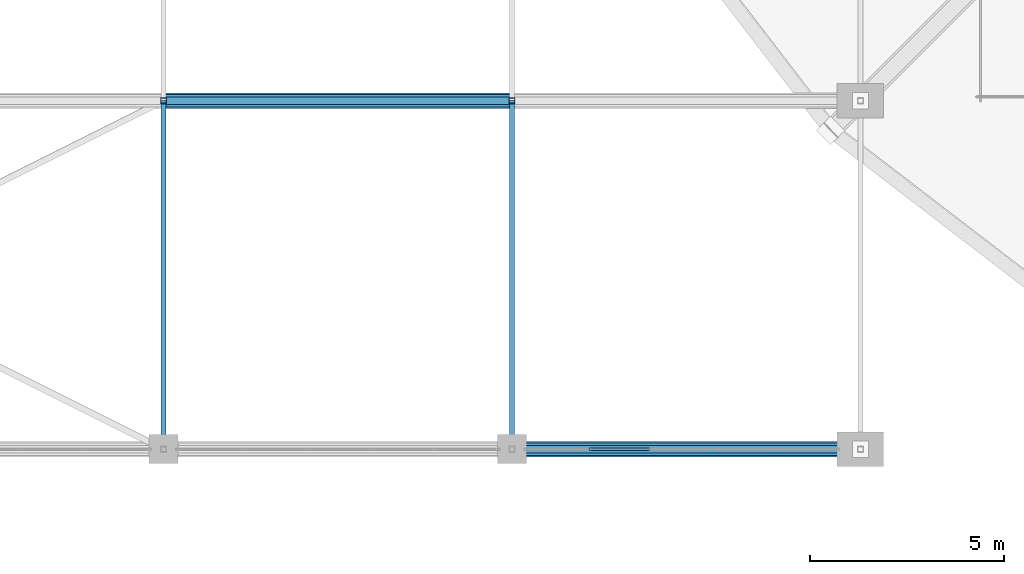
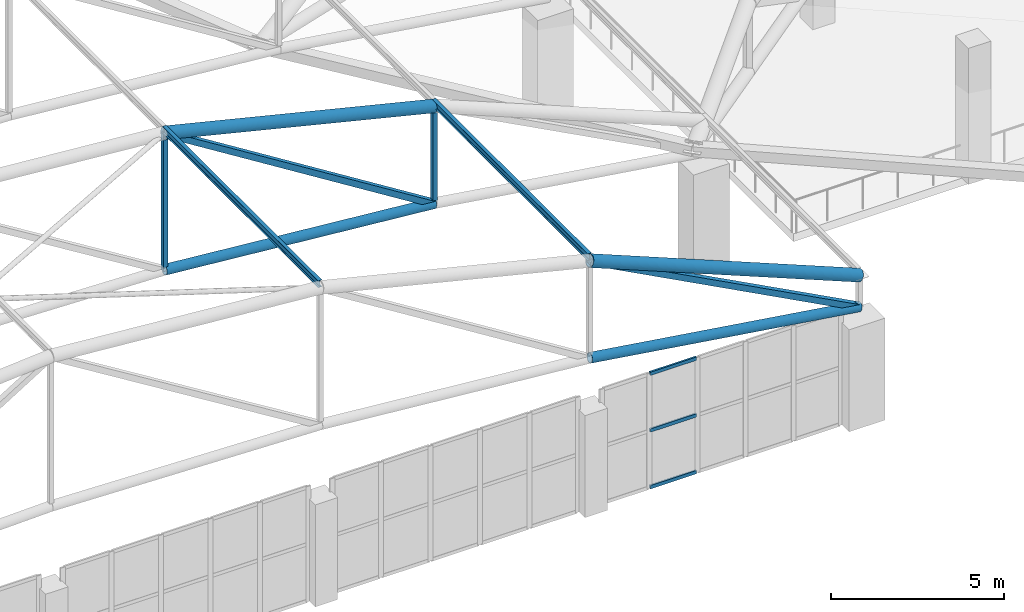
# One storey, part 16 of 167: 13 members, 1 element without a shape of its own.
"""IFC4 building model written with IfcOpenShell, lengths in metres."""

from ifc_helpers import new_model, si_unit, direction, frame, origin, origin_2d, place, context, subcontext, project, spatial, hollow_rectangle, hollow_circle, i_section, extrude, material, layer, layer_set, material_profile, profile_set, type_object, element, aggregate, save


model = new_model("IFC4")

# Units and contexts
model_context = context("Model", 3, precision=1e-05, world=origin(), true_north=direction((0.0, 1.0)))
body_context = subcontext(model_context, "Body", "Model", "MODEL_VIEW")
ifc_project = project(units=[si_unit("LENGTHUNIT", "METRE"), si_unit("AREAUNIT", "SQUARE_METRE"), si_unit("VOLUMEUNIT", "CUBIC_METRE"), si_unit("PLANEANGLEUNIT", "RADIAN"), si_unit("MASSUNIT", "GRAM", prefix="KILO")], contexts=[model_context])

# Site, building, storey
site_placement = place(None, origin())
site = spatial("IfcSite", under=ifc_project, at=site_placement, CompositionType="ELEMENT")
building_placement = place(site_placement, origin())
building = spatial("IfcBuilding", under=site, at=building_placement, Name="Dornveld Trade and Exhibition Forum", CompositionType="ELEMENT")
storey_placement = place(building_placement, frame((0.0, 0.0, 16.800048828125)))
storey = spatial("IfcBuildingStorey", under=building, at=storey_placement, Name="L03", CompositionType="ELEMENT", Elevation=16.800048828125)

# Curtain wall, members
ifc_material_1 = material(Name="Dark-bronze anodised aluminium and low-E glass", Category="aluminium")
ifc_layer = layer(ifc_material_1, 0.156982421875)
ifc_layer_set = layer_set([ifc_layer], Name="Dark-bronze anodised aluminium and low-E glass")
curtain_wall_type = type_object("IfcCurtainWallType", Name="CW-SYS-05", PredefinedType="USERDEFINED", material=ifc_layer_set)
curtain_wall_placement = place(storey_placement, origin())
curtain_wall = element("IfcCurtainWall", 1, at=curtain_wall_placement, inside=storey, type_object=curtain_wall_type, Name="L03 unitised curtain wall 41", ObjectType="UNITISED_CURTAIN_WALL", PredefinedType="USERDEFINED")
ifc_material_2 = material(Name="Dark-bronze anodised aluminium", Category="aluminium")
ifc_material_profile_1 = material_profile(ifc_material_2, hollow_rectangle(XDim=0.06005859375, YDim=0.1201171875, WallThickness=0.00390625, at=origin_2d()), Name="RHS 120x60x4")
ifc_profile_set_1 = profile_set([ifc_material_profile_1], Name="Dark-bronze anodised aluminium")
member_type_1 = type_object("IfcMemberType", Name="CW-TRN-120", PredefinedType="USERDEFINED", material=ifc_profile_set_1)
member_1_placement = place(storey_placement, frame((74.007568359375, 36.0, 0.02587890625), z_axis=(1.0, 0.0, 0.0), x_axis=(0.0, 1.0, 0.0)))
member_1 = element("IfcMember", 2, at=member_1_placement, type_object=member_type_1, Name="CW-05 transom 2.1", ObjectType="TRANSOM", PredefinedType="USERDEFINED", context=body_context, shape_type="SweptSolid", body=[
    extrude(hollow_rectangle(XDim=0.06005859375, YDim=0.1201171875, WallThickness=0.00390625, at=origin_2d()), origin(), (0.0, 0.0, 1.0), 1.546630859375),
])
member_2_placement = place(storey_placement, frame((74.007568359375, 36.0, 2.02783203125), z_axis=(1.0, 0.0, 0.0), x_axis=(0.0, 1.0, 0.0)))
member_2 = element("IfcMember", 3, at=member_2_placement, type_object=member_type_1, Name="CW-05 transom 2.2", ObjectType="TRANSOM", PredefinedType="USERDEFINED", context=body_context, shape_type="SweptSolid", body=[
    extrude(hollow_rectangle(XDim=0.06005859375, YDim=0.1201171875, WallThickness=0.00390625, at=origin_2d()), origin(), (0.0, 0.0, 1.0), 1.546630859375),
])
member_3_placement = place(storey_placement, frame((74.007568359375, 36.0, 4.030029296875), z_axis=(1.0, 0.0, 0.0), x_axis=(0.0, 1.0, 0.0)))
member_3 = element("IfcMember", 4, at=member_3_placement, type_object=member_type_1, Name="CW-05 transom 2.3", ObjectType="TRANSOM", PredefinedType="USERDEFINED", context=body_context, shape_type="SweptSolid", body=[
    extrude(hollow_rectangle(XDim=0.06005859375, YDim=0.1201171875, WallThickness=0.00390625, at=origin_2d()), origin(), (0.0, 0.0, 1.0), 1.546630859375),
])
aggregate(curtain_wall, [member_1, member_2, member_3])

# Members
ifc_material_3 = material(Name="Steel S355J2", Category="steel")
ifc_material_profile_2 = material_profile(ifc_material_3, hollow_circle(Radius=0.161865234375, WallThickness=0.01611328125, at=origin_2d()), Name="CHS 323.9x16")
ifc_profile_set_2 = profile_set([ifc_material_profile_2], Name="Steel S355J2")
member_type_2 = type_object("IfcMemberType", Name="MEM-ARCH-BC", PredefinedType="CHORD", material=ifc_profile_set_2)
member_4_placement = place(storey_placement, frame((72.0, 36.0, 5.283203125), z_axis=(0.989204758987, 0.0, -0.146539908551), x_axis=(0.0, 1.0, 0.0)))
element("IfcMember", 5, at=member_4_placement, inside=storey, type_object=member_type_2, Name="H3 truss 1 tie chord 6", PredefinedType="CHORD", context=body_context, shape_type="SweptSolid", body=[
    extrude(hollow_circle(Radius=0.161865234375, WallThickness=0.01611328125, at=origin_2d()), origin(), (0.0, 0.0, 1.0), 9.09814453125),
])
member_5_placement = place(storey_placement, frame((63.0, 45.0, 6.083251953125), z_axis=(0.996072164085, 0.0, -0.088545151956), x_axis=(0.0, 1.0, 0.0)))
element("IfcMember", 6, at=member_5_placement, inside=storey, type_object=member_type_2, Name="H3 truss 2 tie chord 5", PredefinedType="CHORD", context=body_context, shape_type="SweptSolid", body=[
    extrude(hollow_circle(Radius=0.161865234375, WallThickness=0.01611328125, at=origin_2d()), origin(), (0.0, 0.0, 1.0), 9.035400390625),
])
ifc_material_4 = material(Name="Steel S355J2", Category="steel")
ifc_material_profile_3 = material_profile(ifc_material_4, hollow_rectangle(XDim=0.14990234375, YDim=0.14990234375, WallThickness=0.008056640625, at=origin_2d()), Name="SHS 150x150x8")
ifc_profile_set_3 = profile_set([ifc_material_profile_3], Name="Steel S355J2")
member_type_3 = type_object("IfcMemberType", Name="MEM-ARCH-STR", PredefinedType="STRUT", material=ifc_profile_set_3)
member_6_placement = place(storey_placement, frame((63.0, 45.0, 6.083251953125), z_axis=(0.0, 0.0, 1.0), x_axis=(1.0, 0.0, 0.0)))
element("IfcMember", 7, at=member_6_placement, inside=storey, type_object=member_type_3, Name="H3 truss 2 strut 5", PredefinedType="STRUT", context=body_context, shape_type="SweptSolid", body=[
    extrude(hollow_rectangle(XDim=0.14990234375, YDim=0.14990234375, WallThickness=0.008056640625, at=origin_2d()), origin(), (0.0, 0.0, 1.0), 4.83349609375),
])
member_7_placement = place(storey_placement, frame((72.0, 45.0, 5.283203125), z_axis=(0.0, 0.0, 1.0), x_axis=(1.0, 0.0, 0.0)))
element("IfcMember", 8, at=member_7_placement, inside=storey, type_object=member_type_3, Name="H3 truss 2 strut 6", PredefinedType="STRUT", context=body_context, shape_type="SweptSolid", body=[
    extrude(hollow_rectangle(XDim=0.14990234375, YDim=0.14990234375, WallThickness=0.008056640625, at=origin_2d()), origin(), (0.0, 0.0, 1.0), 3.433349609375),
])
ifc_material_5 = material(Name="Steel S355J2", Category="steel")
ifc_material_profile_4 = material_profile(ifc_material_5, hollow_circle(Radius=0.203125, WallThickness=0.02001953125, at=origin_2d()), Name="CHS 406.4x20")
ifc_profile_set_4 = profile_set([ifc_material_profile_4], Name="Steel S355J2")
member_type_4 = type_object("IfcMemberType", Name="MEM-ARCH-TC", PredefinedType="CHORD", material=ifc_profile_set_4)
member_8_placement = place(storey_placement, frame((72.0, 36.0, 8.716552734375), z_axis=(0.926098211611, 0.0, -0.377282523383), x_axis=(0.0, 1.0, 0.0)))
element("IfcMember", 9, at=member_8_placement, inside=storey, type_object=member_type_4, Name="H3 truss 1 top chord 6", PredefinedType="CHORD", context=body_context, shape_type="SweptSolid", body=[
    extrude(hollow_circle(Radius=0.203125, WallThickness=0.02001953125, at=origin_2d()), origin(), (0.0, 0.0, 1.0), 9.71826171875),
])
member_9_placement = place(storey_placement, frame((63.0, 45.0, 10.916748046875), z_axis=(0.971394143806, 0.0, -0.237472982421), x_axis=(0.0, 1.0, 0.0)))
element("IfcMember", 10, at=member_9_placement, inside=storey, type_object=member_type_4, Name="H3 truss 2 top chord 5", PredefinedType="CHORD", context=body_context, shape_type="SweptSolid", body=[
    extrude(hollow_circle(Radius=0.203125, WallThickness=0.02001953125, at=origin_2d()), origin(), (0.0, 0.0, 1.0), 9.26513671875),
])
ifc_material_6 = material(Name="Steel S355J2", Category="steel")
ifc_material_profile_5 = material_profile(ifc_material_6, hollow_rectangle(XDim=0.199951171875, YDim=0.199951171875, WallThickness=0.010009765625, at=origin_2d()), Name="SHS 200x200x10")
ifc_profile_set_5 = profile_set([ifc_material_profile_5], Name="Steel S355J2")
member_type_5 = type_object("IfcMemberType", Name="MEM-ARCH-WEB", PredefinedType="BRACE", material=ifc_profile_set_5)
member_10_placement = place(storey_placement, frame((81.0, 36.0, 3.949951171875), z_axis=(-0.883710934211, 0.0, 0.468033102201), x_axis=(0.0, -1.0, 0.0)))
element("IfcMember", 11, at=member_10_placement, inside=storey, type_object=member_type_5, Name="H3 truss 1 web 6", PredefinedType="BRACE", context=body_context, shape_type="SweptSolid", body=[
    extrude(hollow_rectangle(XDim=0.199951171875, YDim=0.199951171875, WallThickness=0.010009765625, at=origin_2d()), origin(), (0.0, 0.0, 1.0), 10.184326171875),
])
member_11_placement = place(storey_placement, frame((72.0, 45.0, 5.283203125), z_axis=(-0.84763640931, 0.0, 0.53057753214), x_axis=(0.0, -1.0, 0.0)))
element("IfcMember", 12, at=member_11_placement, inside=storey, type_object=member_type_5, Name="H3 truss 2 web 5", PredefinedType="BRACE", context=body_context, shape_type="SweptSolid", body=[
    extrude(hollow_rectangle(XDim=0.199951171875, YDim=0.199951171875, WallThickness=0.010009765625, at=origin_2d()), origin(), (0.0, 0.0, 1.0), 10.61767578125),
])
ifc_material_7 = material(Name="Steel S355J2", Category="steel")
ifc_material_profile_6 = material_profile(ifc_material_7, i_section(OverallWidth=0.1201171875, OverallDepth=0.239990234375, WebThickness=0.006103515625, FlangeThickness=0.009765625, FilletRadius=0.014892578125, at=origin_2d()), Name="IPE 240")
ifc_profile_set_6 = profile_set([ifc_material_profile_6], Name="Steel S355J2")
member_type_6 = type_object("IfcMemberType", Name="MEM-PURLIN-240", PredefinedType="PURLIN", material=ifc_profile_set_6)
for number, where, z_axis, x_axis, name in (
    (13, (63.0, 36.0, 11.048583984375), (0.0, 1.0, 0.0), (-1.0, 0.0, 0.0), "H3 bay 1 roof purlin 5"),
    (14, (72.0, 36.0, 8.8486328125), (0.0, 1.0, 0.0), (-1.0, 0.0, 0.0), "H3 bay 1 roof purlin 6"),
):
    element("IfcMember", number, at=place(storey_placement, frame(where, z_axis=z_axis, x_axis=x_axis)), inside=storey, type_object=member_type_6, Name=name, PredefinedType="PURLIN", context=body_context, shape_type="SweptSolid", body=[
        extrude(i_section(OverallWidth=0.1201171875, OverallDepth=0.239990234375, WebThickness=0.006103515625, FlangeThickness=0.009765625, FilletRadius=0.014892578125, at=origin_2d()), origin(), (0.0, 0.0, 1.0), 9.0),
    ])

save(model, "model.ifc")
